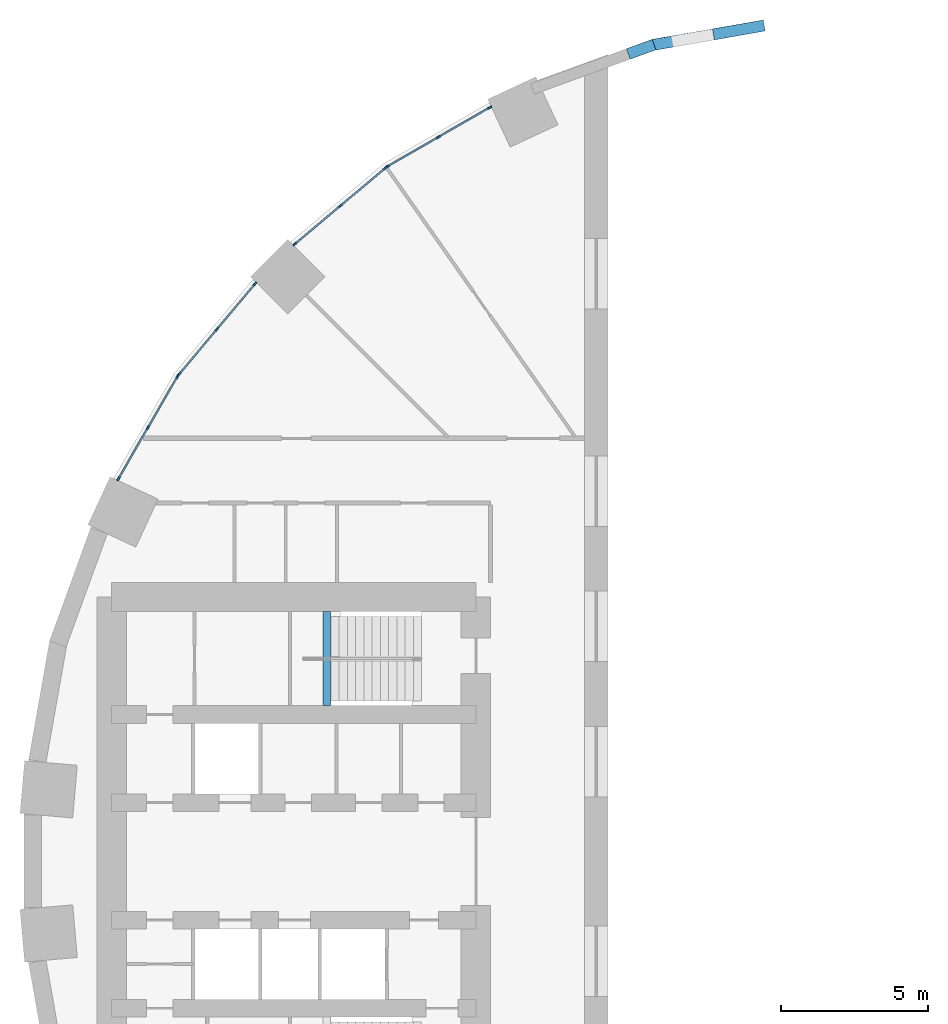
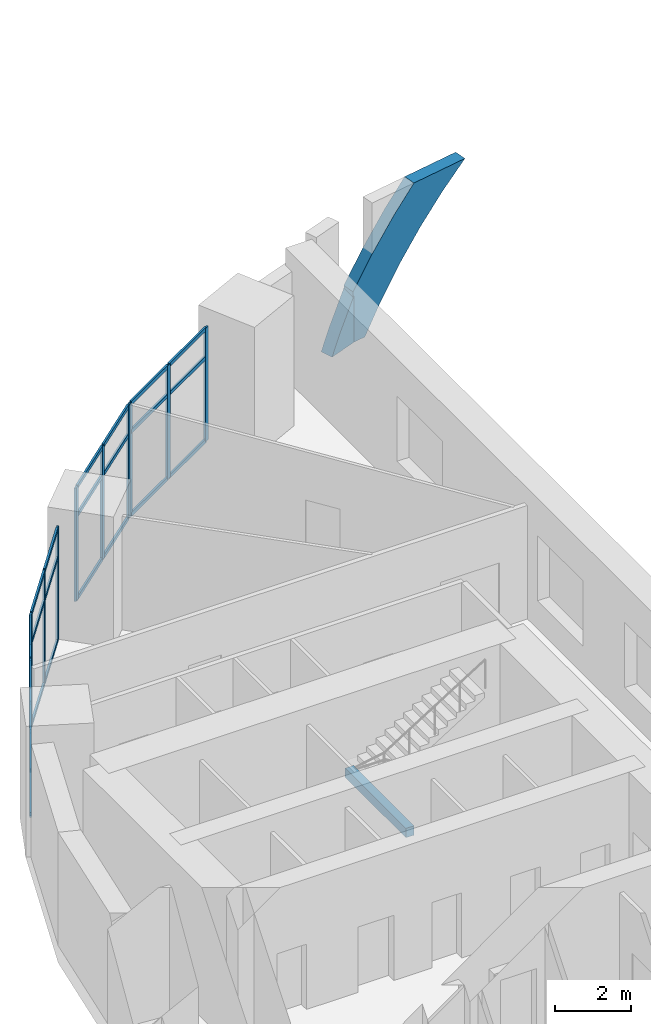
# One storey, part 4 of 13: 38 members, 1 beam, 4 elements without a shape of their own.
"""IFC4 building model written with IfcOpenShell, lengths in metres."""

from ifc_helpers import new_model, si_unit, direction, frame, origin, origin_2d, place, context, subcontext, project, spatial, polyline, rectangle, hollow_rectangle, outline, extrude, material, layer, layer_set, material_profile, profile_set, type_object, element, aggregate, save


model = new_model("IFC4")

# Units and contexts
model_context = context("Model", 3, precision=1e-05, world=origin(), true_north=direction((0.0, 1.0)))
body_context = subcontext(model_context, "Body", "Model", "MODEL_VIEW")
ifc_project = project(units=[si_unit("LENGTHUNIT", "METRE"), si_unit("AREAUNIT", "SQUARE_METRE"), si_unit("VOLUMEUNIT", "CUBIC_METRE"), si_unit("PLANEANGLEUNIT", "RADIAN"), si_unit("MASSUNIT", "GRAM", prefix="KILO")], contexts=[model_context])

# Site, building, storey
site_placement = place(None, origin())
site = spatial("IfcSite", under=ifc_project, at=site_placement, CompositionType="ELEMENT")
building_placement = place(site_placement, origin())
building = spatial("IfcBuilding", under=site, at=building_placement, Name="Saqina Gate Tower", CompositionType="ELEMENT")
storey_placement = place(building_placement, frame((0.0, 0.0, 13.39990234375)))
storey = spatial("IfcBuildingStorey", under=building, at=storey_placement, Name="L03", CompositionType="ELEMENT", Elevation=13.39990234375)

# Curtain wall, members
ifc_material_1 = material(Name="Aluminium glazing", Category="aluminium")
ifc_layer = layer(ifc_material_1, 0.159912109375)
ifc_layer_set = layer_set([ifc_layer], Name="CWT-1")
curtain_wall_type = type_object("IfcCurtainWallType", Name="CWT-1", PredefinedType="NOTDEFINED", material=ifc_layer_set)
curtain_wall_1_placement = place(storey_placement, origin())
curtain_wall_1 = element("IfcCurtainWall", 1, at=curtain_wall_1_placement, inside=storey, type_object=curtain_wall_type, Name="Podium shopfront facet 12", PredefinedType="NOTDEFINED")
ifc_material_2 = material(Name="Aluminium", Category="aluminium")
ifc_material_profile_1 = material_profile(ifc_material_2, rectangle(XDim=0.06005859375, YDim=0.159912109375, at=origin_2d()), Name="Aluminium 60x160")
ifc_profile_set_1 = profile_set([ifc_material_profile_1], Name="Aluminium")
member_type_1 = type_object("IfcMemberType", Name="CWT-1M", PredefinedType="MULLION", material=ifc_profile_set_1)
member_1_placement = place(storey_placement, frame((-13.03466796875, 25.66015625, 0.0), z_axis=(0.0, 0.0, 1.0), x_axis=(0.500013894893, -0.866017381415, 0.0)))
member_1 = element("IfcMember", 2, at=member_1_placement, type_object=member_type_1, Name="CW1-12 mullion 1", PredefinedType="MULLION", context=body_context, shape_type="SweptSolid", body=[
    extrude(rectangle(XDim=0.06005859375, YDim=0.159912109375, at=origin_2d()), origin(), (0.0, 0.0, 1.0), 3.650146484375),
])
member_2_placement = place(storey_placement, frame((-14.770751953125, 24.65771484375, 0.0), z_axis=(0.0, 0.0, 1.0), x_axis=(0.500013894893, -0.866017381415, 0.0)))
member_2 = element("IfcMember", 3, at=member_2_placement, type_object=member_type_1, Name="CW1-12 mullion 2", PredefinedType="MULLION", context=body_context, shape_type="SweptSolid", body=[
    extrude(rectangle(XDim=0.06005859375, YDim=0.159912109375, at=origin_2d()), origin(), (0.0, 0.0, 1.0), 3.650146484375),
])
member_3_placement = place(storey_placement, frame((-16.5068359375, 23.655517578125, 0.0), z_axis=(0.0, 0.0, 1.0), x_axis=(0.500013894893, -0.866017381415, 0.0)))
member_3 = element("IfcMember", 4, at=member_3_placement, type_object=member_type_1, Name="CW1-12 mullion 3", PredefinedType="MULLION", context=body_context, shape_type="SweptSolid", body=[
    extrude(rectangle(XDim=0.06005859375, YDim=0.159912109375, at=origin_2d()), origin(), (0.0, 0.0, 1.0), 3.650146484375),
])

curtain_wall_2_placement = place(storey_placement, origin())
curtain_wall_2 = element("IfcCurtainWall", 5, at=curtain_wall_2_placement, inside=storey, type_object=curtain_wall_type, Name="Podium shopfront facet 13", PredefinedType="NOTDEFINED")
member_4_placement = place(storey_placement, frame((-16.583251953125, 23.601806640625, 0.0), z_axis=(0.0, 0.0, 1.0), x_axis=(0.642779322911, -0.766051396473, 0.0)))
member_4 = element("IfcMember", 6, at=member_4_placement, type_object=member_type_1, Name="CW1-13 mullion 1", PredefinedType="MULLION", context=body_context, shape_type="SweptSolid", body=[
    extrude(rectangle(XDim=0.06005859375, YDim=0.159912109375, at=origin_2d()), origin(), (0.0, 0.0, 1.0), 3.650146484375),
])
member_5_placement = place(storey_placement, frame((-18.118896484375, 22.3134765625, 0.0), z_axis=(0.0, 0.0, 1.0), x_axis=(0.642779322911, -0.766051396473, 0.0)))
member_5 = element("IfcMember", 7, at=member_5_placement, type_object=member_type_1, Name="CW1-13 mullion 2", PredefinedType="MULLION", context=body_context, shape_type="SweptSolid", body=[
    extrude(rectangle(XDim=0.06005859375, YDim=0.159912109375, at=origin_2d()), origin(), (0.0, 0.0, 1.0), 3.650146484375),
])
member_6_placement = place(storey_placement, frame((-19.654296875, 21.02490234375, 0.0), z_axis=(0.0, 0.0, 1.0), x_axis=(0.642779322911, -0.766051396473, 0.0)))
member_6 = element("IfcMember", 8, at=member_6_placement, type_object=member_type_1, Name="CW1-13 mullion 3", PredefinedType="MULLION", context=body_context, shape_type="SweptSolid", body=[
    extrude(rectangle(XDim=0.06005859375, YDim=0.159912109375, at=origin_2d()), origin(), (0.0, 0.0, 1.0), 3.650146484375),
])

curtain_wall_3_placement = place(storey_placement, origin())
curtain_wall_3 = element("IfcCurtainWall", 9, at=curtain_wall_3_placement, inside=storey, type_object=curtain_wall_type, Name="Podium shopfront facet 14", PredefinedType="NOTDEFINED")
member_7_placement = place(storey_placement, frame((-21.02490234375, 19.654296875, 0.0), z_axis=(0.0, 0.0, 1.0), x_axis=(0.766051396473, -0.642779322911, 0.0)))
member_7 = element("IfcMember", 10, at=member_7_placement, type_object=member_type_1, Name="CW1-14 mullion 1", PredefinedType="MULLION", context=body_context, shape_type="SweptSolid", body=[
    extrude(rectangle(XDim=0.06005859375, YDim=0.159912109375, at=origin_2d()), origin(), (0.0, 0.0, 1.0), 3.650146484375),
])
member_8_placement = place(storey_placement, frame((-22.3134765625, 18.118896484375, 0.0), z_axis=(0.0, 0.0, 1.0), x_axis=(0.766051396473, -0.642779322911, 0.0)))
member_8 = element("IfcMember", 11, at=member_8_placement, type_object=member_type_1, Name="CW1-14 mullion 2", PredefinedType="MULLION", context=body_context, shape_type="SweptSolid", body=[
    extrude(rectangle(XDim=0.06005859375, YDim=0.159912109375, at=origin_2d()), origin(), (0.0, 0.0, 1.0), 3.650146484375),
])
member_9_placement = place(storey_placement, frame((-23.601806640625, 16.583251953125, 0.0), z_axis=(0.0, 0.0, 1.0), x_axis=(0.766051396473, -0.642779322911, 0.0)))
member_9 = element("IfcMember", 12, at=member_9_placement, type_object=member_type_1, Name="CW1-14 mullion 3", PredefinedType="MULLION", context=body_context, shape_type="SweptSolid", body=[
    extrude(rectangle(XDim=0.06005859375, YDim=0.159912109375, at=origin_2d()), origin(), (0.0, 0.0, 1.0), 3.650146484375),
])

curtain_wall_4_placement = place(storey_placement, origin())
curtain_wall_4 = element("IfcCurtainWall", 13, at=curtain_wall_4_placement, inside=storey, type_object=curtain_wall_type, Name="Podium shopfront facet 15", PredefinedType="NOTDEFINED")
member_10_placement = place(storey_placement, frame((-23.655517578125, 16.5068359375, 0.0), z_axis=(0.0, 0.0, 1.0), x_axis=(0.866017381415, -0.500013894893, 0.0)))
member_10 = element("IfcMember", 14, at=member_10_placement, type_object=member_type_1, Name="CW1-15 mullion 1", PredefinedType="MULLION", context=body_context, shape_type="SweptSolid", body=[
    extrude(rectangle(XDim=0.06005859375, YDim=0.159912109375, at=origin_2d()), origin(), (0.0, 0.0, 1.0), 3.650146484375),
])
member_11_placement = place(storey_placement, frame((-24.65771484375, 14.770751953125, 0.0), z_axis=(0.0, 0.0, 1.0), x_axis=(0.866017381415, -0.500013894893, 0.0)))
member_11 = element("IfcMember", 15, at=member_11_placement, type_object=member_type_1, Name="CW1-15 mullion 2", PredefinedType="MULLION", context=body_context, shape_type="SweptSolid", body=[
    extrude(rectangle(XDim=0.06005859375, YDim=0.159912109375, at=origin_2d()), origin(), (0.0, 0.0, 1.0), 3.650146484375),
])
member_12_placement = place(storey_placement, frame((-25.66015625, 13.03466796875, 0.0), z_axis=(0.0, 0.0, 1.0), x_axis=(0.866017381415, -0.500013894893, 0.0)))
member_12 = element("IfcMember", 16, at=member_12_placement, type_object=member_type_1, Name="CW1-15 mullion 3", PredefinedType="MULLION", context=body_context, shape_type="SweptSolid", body=[
    extrude(rectangle(XDim=0.06005859375, YDim=0.159912109375, at=origin_2d()), origin(), (0.0, 0.0, 1.0), 3.650146484375),
])

# Member
ifc_material_3 = material(Name="Aluminium", Category="aluminium")
ifc_material_profile_2 = material_profile(ifc_material_3, rectangle(XDim=0.06005859375, YDim=0.1201171875, at=origin_2d()), Name="Aluminium 60x120")
ifc_profile_set_2 = profile_set([ifc_material_profile_2], Name="Aluminium")
member_type_2 = type_object("IfcMemberType", Name="CWT-1T", PredefinedType="USERDEFINED", material=ifc_profile_set_2)
member_13_placement = place(storey_placement, frame((-13.060791015625, 25.64501953125, 0.030029296875), z_axis=(-0.866055964107, -0.499947064232, 0.0), x_axis=(0.499947064232, -0.866055964107, 0.0)))
member_13 = element("IfcMember", 17, at=member_13_placement, type_object=member_type_2, Name="CW1-12 transom 1.1", ObjectType="TRANSOM", PredefinedType="USERDEFINED", context=body_context, shape_type="SweptSolid", body=[
    extrude(rectangle(XDim=0.06005859375, YDim=0.1201171875, at=origin_2d()), origin(), (0.0, 0.0, 1.0), 1.944580078125),
])

member_14_placement = place(storey_placement, frame((-13.060791015625, 25.64501953125, 2.7001953125), z_axis=(-0.866055964107, -0.499947064232, 0.0), x_axis=(0.499947064232, -0.866055964107, 0.0)))
member_14 = element("IfcMember", 18, at=member_14_placement, type_object=member_type_2, Name="CW1-12 transom 1.2", ObjectType="TRANSOM", PredefinedType="USERDEFINED", context=body_context, shape_type="SweptSolid", body=[
    extrude(rectangle(XDim=0.06005859375, YDim=0.1201171875, at=origin_2d()), origin(), (0.0, 0.0, 1.0), 1.944580078125),
])

member_15_placement = place(storey_placement, frame((-13.060791015625, 25.64501953125, 3.6201171875), z_axis=(-0.866055964107, -0.499947064232, 0.0), x_axis=(0.499947064232, -0.866055964107, 0.0)))
member_15 = element("IfcMember", 19, at=member_15_placement, type_object=member_type_2, Name="CW1-12 transom 1.3", ObjectType="TRANSOM", PredefinedType="USERDEFINED", context=body_context, shape_type="SweptSolid", body=[
    extrude(rectangle(XDim=0.06005859375, YDim=0.1201171875, at=origin_2d()), origin(), (0.0, 0.0, 1.0), 1.944580078125),
])

member_16_placement = place(storey_placement, frame((-14.796630859375, 24.642822265625, 0.030029296875), z_axis=(-0.866001600736, -0.500041225824, 0.0), x_axis=(0.500041225824, -0.866001600736, 0.0)))
member_16 = element("IfcMember", 20, at=member_16_placement, type_object=member_type_2, Name="CW1-12 transom 2.1", ObjectType="TRANSOM", PredefinedType="USERDEFINED", context=body_context, shape_type="SweptSolid", body=[
    extrude(rectangle(XDim=0.06005859375, YDim=0.1201171875, at=origin_2d()), origin(), (0.0, 0.0, 1.0), 1.944580078125),
])

member_17_placement = place(storey_placement, frame((-14.796630859375, 24.642822265625, 2.7001953125), z_axis=(-0.866001600736, -0.500041225824, 0.0), x_axis=(0.500041225824, -0.866001600736, 0.0)))
member_17 = element("IfcMember", 21, at=member_17_placement, type_object=member_type_2, Name="CW1-12 transom 2.2", ObjectType="TRANSOM", PredefinedType="USERDEFINED", context=body_context, shape_type="SweptSolid", body=[
    extrude(rectangle(XDim=0.06005859375, YDim=0.1201171875, at=origin_2d()), origin(), (0.0, 0.0, 1.0), 1.944580078125),
])

member_18_placement = place(storey_placement, frame((-14.796630859375, 24.642822265625, 3.6201171875), z_axis=(-0.866001600736, -0.500041225824, 0.0), x_axis=(0.500041225824, -0.866001600736, 0.0)))
member_18 = element("IfcMember", 22, at=member_18_placement, type_object=member_type_2, Name="CW1-12 transom 2.3", ObjectType="TRANSOM", PredefinedType="USERDEFINED", context=body_context, shape_type="SweptSolid", body=[
    extrude(rectangle(XDim=0.06005859375, YDim=0.1201171875, at=origin_2d()), origin(), (0.0, 0.0, 1.0), 1.944580078125),
])

aggregate(curtain_wall_1, [member_1, member_2, member_3, member_13, member_14, member_15, member_16, member_17, member_18])

member_19_placement = place(storey_placement, frame((-16.606201171875, 23.58251953125, 0.030029296875), z_axis=(-0.766117756196, -0.642700228444, 0.0), x_axis=(0.642700228444, -0.766117756196, 0.0)))
member_19 = element("IfcMember", 23, at=member_19_placement, type_object=member_type_2, Name="CW1-13 transom 1.1", ObjectType="TRANSOM", PredefinedType="USERDEFINED", context=body_context, shape_type="SweptSolid", body=[
    extrude(rectangle(XDim=0.06005859375, YDim=0.1201171875, at=origin_2d()), origin(), (0.0, 0.0, 1.0), 1.944580078125),
])

member_20_placement = place(storey_placement, frame((-16.606201171875, 23.58251953125, 2.7001953125), z_axis=(-0.766117756196, -0.642700228444, 0.0), x_axis=(0.642700228444, -0.766117756196, 0.0)))
member_20 = element("IfcMember", 24, at=member_20_placement, type_object=member_type_2, Name="CW1-13 transom 1.2", ObjectType="TRANSOM", PredefinedType="USERDEFINED", context=body_context, shape_type="SweptSolid", body=[
    extrude(rectangle(XDim=0.06005859375, YDim=0.1201171875, at=origin_2d()), origin(), (0.0, 0.0, 1.0), 1.944580078125),
])

member_21_placement = place(storey_placement, frame((-16.606201171875, 23.58251953125, 3.6201171875), z_axis=(-0.766117756196, -0.642700228444, 0.0), x_axis=(0.642700228444, -0.766117756196, 0.0)))
member_21 = element("IfcMember", 25, at=member_21_placement, type_object=member_type_2, Name="CW1-13 transom 1.3", ObjectType="TRANSOM", PredefinedType="USERDEFINED", context=body_context, shape_type="SweptSolid", body=[
    extrude(rectangle(XDim=0.06005859375, YDim=0.1201171875, at=origin_2d()), origin(), (0.0, 0.0, 1.0), 1.944580078125),
])

member_22_placement = place(storey_placement, frame((-18.141845703125, 22.294189453125, 0.030029296875), z_axis=(-0.76600406177, -0.642835731235, 0.0), x_axis=(0.642835731235, -0.76600406177, 0.0)))
member_22 = element("IfcMember", 26, at=member_22_placement, type_object=member_type_2, Name="CW1-13 transom 2.1", ObjectType="TRANSOM", PredefinedType="USERDEFINED", context=body_context, shape_type="SweptSolid", body=[
    extrude(rectangle(XDim=0.06005859375, YDim=0.1201171875, at=origin_2d()), origin(), (0.0, 0.0, 1.0), 1.944580078125),
])

member_23_placement = place(storey_placement, frame((-18.141845703125, 22.294189453125, 2.7001953125), z_axis=(-0.76600406177, -0.642835731235, 0.0), x_axis=(0.642835731235, -0.76600406177, 0.0)))
member_23 = element("IfcMember", 27, at=member_23_placement, type_object=member_type_2, Name="CW1-13 transom 2.2", ObjectType="TRANSOM", PredefinedType="USERDEFINED", context=body_context, shape_type="SweptSolid", body=[
    extrude(rectangle(XDim=0.06005859375, YDim=0.1201171875, at=origin_2d()), origin(), (0.0, 0.0, 1.0), 1.944580078125),
])

member_24_placement = place(storey_placement, frame((-18.141845703125, 22.294189453125, 3.6201171875), z_axis=(-0.76600406177, -0.642835731235, 0.0), x_axis=(0.642835731235, -0.76600406177, 0.0)))
member_24 = element("IfcMember", 28, at=member_24_placement, type_object=member_type_2, Name="CW1-13 transom 2.3", ObjectType="TRANSOM", PredefinedType="USERDEFINED", context=body_context, shape_type="SweptSolid", body=[
    extrude(rectangle(XDim=0.06005859375, YDim=0.1201171875, at=origin_2d()), origin(), (0.0, 0.0, 1.0), 1.944580078125),
])

aggregate(curtain_wall_2, [member_4, member_5, member_6, member_19, member_20, member_21, member_22, member_23, member_24])

member_25_placement = place(storey_placement, frame((-21.044189453125, 19.63134765625, 0.030029296875), z_axis=(-0.642835731235, -0.76600406177, 0.0), x_axis=(0.76600406177, -0.642835731235, 0.0)))
member_25 = element("IfcMember", 29, at=member_25_placement, type_object=member_type_2, Name="CW1-14 transom 1.1", ObjectType="TRANSOM", PredefinedType="USERDEFINED", context=body_context, shape_type="SweptSolid", body=[
    extrude(rectangle(XDim=0.06005859375, YDim=0.1201171875, at=origin_2d()), origin(), (0.0, 0.0, 1.0), 1.944580078125),
])

member_26_placement = place(storey_placement, frame((-21.044189453125, 19.63134765625, 2.7001953125), z_axis=(-0.642835731235, -0.76600406177, 0.0), x_axis=(0.76600406177, -0.642835731235, 0.0)))
member_26 = element("IfcMember", 30, at=member_26_placement, type_object=member_type_2, Name="CW1-14 transom 1.2", ObjectType="TRANSOM", PredefinedType="USERDEFINED", context=body_context, shape_type="SweptSolid", body=[
    extrude(rectangle(XDim=0.06005859375, YDim=0.1201171875, at=origin_2d()), origin(), (0.0, 0.0, 1.0), 1.944580078125),
])

member_27_placement = place(storey_placement, frame((-21.044189453125, 19.63134765625, 3.6201171875), z_axis=(-0.642835731235, -0.76600406177, 0.0), x_axis=(0.76600406177, -0.642835731235, 0.0)))
member_27 = element("IfcMember", 31, at=member_27_placement, type_object=member_type_2, Name="CW1-14 transom 1.3", ObjectType="TRANSOM", PredefinedType="USERDEFINED", context=body_context, shape_type="SweptSolid", body=[
    extrude(rectangle(XDim=0.06005859375, YDim=0.1201171875, at=origin_2d()), origin(), (0.0, 0.0, 1.0), 1.944580078125),
])

member_28_placement = place(storey_placement, frame((-22.332763671875, 18.095947265625, 0.030029296875), z_axis=(-0.642700228444, -0.766117756196, 0.0), x_axis=(0.766117756196, -0.642700228444, 0.0)))
member_28 = element("IfcMember", 32, at=member_28_placement, type_object=member_type_2, Name="CW1-14 transom 2.1", ObjectType="TRANSOM", PredefinedType="USERDEFINED", context=body_context, shape_type="SweptSolid", body=[
    extrude(rectangle(XDim=0.06005859375, YDim=0.1201171875, at=origin_2d()), origin(), (0.0, 0.0, 1.0), 1.944580078125),
])

member_29_placement = place(storey_placement, frame((-22.332763671875, 18.095947265625, 2.7001953125), z_axis=(-0.642700228444, -0.766117756196, 0.0), x_axis=(0.766117756196, -0.642700228444, 0.0)))
member_29 = element("IfcMember", 33, at=member_29_placement, type_object=member_type_2, Name="CW1-14 transom 2.2", ObjectType="TRANSOM", PredefinedType="USERDEFINED", context=body_context, shape_type="SweptSolid", body=[
    extrude(rectangle(XDim=0.06005859375, YDim=0.1201171875, at=origin_2d()), origin(), (0.0, 0.0, 1.0), 1.944580078125),
])

member_30_placement = place(storey_placement, frame((-22.332763671875, 18.095947265625, 3.6201171875), z_axis=(-0.642700228444, -0.766117756196, 0.0), x_axis=(0.766117756196, -0.642700228444, 0.0)))
member_30 = element("IfcMember", 34, at=member_30_placement, type_object=member_type_2, Name="CW1-14 transom 2.3", ObjectType="TRANSOM", PredefinedType="USERDEFINED", context=body_context, shape_type="SweptSolid", body=[
    extrude(rectangle(XDim=0.06005859375, YDim=0.1201171875, at=origin_2d()), origin(), (0.0, 0.0, 1.0), 1.944580078125),
])

aggregate(curtain_wall_3, [member_7, member_8, member_9, member_25, member_26, member_27, member_28, member_29, member_30])

member_31_placement = place(storey_placement, frame((-23.67041015625, 16.480712890625, 0.030029296875), z_axis=(-0.500041225824, -0.866001600736, 0.0), x_axis=(0.866001600736, -0.500041225824, 0.0)))
member_31 = element("IfcMember", 35, at=member_31_placement, type_object=member_type_2, Name="CW1-15 transom 1.1", ObjectType="TRANSOM", PredefinedType="USERDEFINED", context=body_context, shape_type="SweptSolid", body=[
    extrude(rectangle(XDim=0.06005859375, YDim=0.1201171875, at=origin_2d()), origin(), (0.0, 0.0, 1.0), 1.944580078125),
])

member_32_placement = place(storey_placement, frame((-23.67041015625, 16.480712890625, 2.7001953125), z_axis=(-0.500041225824, -0.866001600736, 0.0), x_axis=(0.866001600736, -0.500041225824, 0.0)))
member_32 = element("IfcMember", 36, at=member_32_placement, type_object=member_type_2, Name="CW1-15 transom 1.2", ObjectType="TRANSOM", PredefinedType="USERDEFINED", context=body_context, shape_type="SweptSolid", body=[
    extrude(rectangle(XDim=0.06005859375, YDim=0.1201171875, at=origin_2d()), origin(), (0.0, 0.0, 1.0), 1.944580078125),
])

member_33_placement = place(storey_placement, frame((-23.67041015625, 16.480712890625, 3.6201171875), z_axis=(-0.500041225824, -0.866001600736, 0.0), x_axis=(0.866001600736, -0.500041225824, 0.0)))
member_33 = element("IfcMember", 37, at=member_33_placement, type_object=member_type_2, Name="CW1-15 transom 1.3", ObjectType="TRANSOM", PredefinedType="USERDEFINED", context=body_context, shape_type="SweptSolid", body=[
    extrude(rectangle(XDim=0.06005859375, YDim=0.1201171875, at=origin_2d()), origin(), (0.0, 0.0, 1.0), 1.944580078125),
])

member_34_placement = place(storey_placement, frame((-24.6728515625, 14.744873046875, 0.030029296875), z_axis=(-0.499947064232, -0.866055964107, 0.0), x_axis=(0.866055964107, -0.499947064232, 0.0)))
member_34 = element("IfcMember", 38, at=member_34_placement, type_object=member_type_2, Name="CW1-15 transom 2.1", ObjectType="TRANSOM", PredefinedType="USERDEFINED", context=body_context, shape_type="SweptSolid", body=[
    extrude(rectangle(XDim=0.06005859375, YDim=0.1201171875, at=origin_2d()), origin(), (0.0, 0.0, 1.0), 1.944580078125),
])

member_35_placement = place(storey_placement, frame((-24.6728515625, 14.744873046875, 2.7001953125), z_axis=(-0.499947064232, -0.866055964107, 0.0), x_axis=(0.866055964107, -0.499947064232, 0.0)))
member_35 = element("IfcMember", 39, at=member_35_placement, type_object=member_type_2, Name="CW1-15 transom 2.2", ObjectType="TRANSOM", PredefinedType="USERDEFINED", context=body_context, shape_type="SweptSolid", body=[
    extrude(rectangle(XDim=0.06005859375, YDim=0.1201171875, at=origin_2d()), origin(), (0.0, 0.0, 1.0), 1.944580078125),
])

member_36_placement = place(storey_placement, frame((-24.6728515625, 14.744873046875, 3.6201171875), z_axis=(-0.499947064232, -0.866055964107, 0.0), x_axis=(0.866055964107, -0.499947064232, 0.0)))
member_36 = element("IfcMember", 40, at=member_36_placement, type_object=member_type_2, Name="CW1-15 transom 2.3", ObjectType="TRANSOM", PredefinedType="USERDEFINED", context=body_context, shape_type="SweptSolid", body=[
    extrude(rectangle(XDim=0.06005859375, YDim=0.1201171875, at=origin_2d()), origin(), (0.0, 0.0, 1.0), 1.944580078125),
])

aggregate(curtain_wall_4, [member_10, member_11, member_12, member_31, member_32, member_33, member_34, member_35, member_36])

# Beam
ifc_material_4 = material(Name="Concrete C40/50", Category="concrete")
ifc_material_profile_3 = material_profile(ifc_material_4, rectangle(XDim=0.25, YDim=0.300048828125, at=origin_2d()), Name="STAIR LANDING BEAM")
ifc_profile_set_3 = profile_set([ifc_material_profile_3], Name="Concrete C40/50")
beam_type = type_object("IfcBeamType", Name="STAIR LANDING BEAM", PredefinedType="BEAM", material=ifc_profile_set_3)
beam_placement = place(storey_placement, frame((-18.580078125, 5.300048828125, 1.7001953125), z_axis=(0.0, 1.0, 0.0), x_axis=(-1.0, 0.0, 0.0)))
element("IfcBeam", 41, at=beam_placement, inside=storey, type_object=beam_type, Name="EXIT STAIR 3 LANDING BEAM", PredefinedType="BEAM", context=body_context, shape_type="SweptSolid", body=[
    extrude(rectangle(XDim=0.25, YDim=0.300048828125, at=origin_2d()), origin(), (0.0, 0.0, 1.0), 3.199951171875),
])

# Members
ifc_material_5 = material(Name="Steel S355", Category="steel")
ifc_material_profile_4 = material_profile(ifc_material_5, hollow_rectangle(XDim=1.199951171875, YDim=0.3798828125, WallThickness=0.030029296875, at=origin_2d()), Name="BOX 1200x380x30")
ifc_profile_set_4 = profile_set([ifc_material_profile_4], Name="Steel S355")
member_type_3 = type_object("IfcMemberType", Name="STR-ARCH RIB-BOX 1200x380x30", PredefinedType="USERDEFINED", material=ifc_profile_set_4)
member_37_placement = place(storey_placement, frame((-7.098388671875, 28.056396484375, 0.0), z_axis=(-0.173663688926, 0.984802981162, 0.002002858604), x_axis=(0.508731216594, 0.087969730804, 0.856419217279)))
element("IfcMember", 42, at=member_37_placement, inside=storey, type_object=member_type_3, Name="ARCH RIB N L03 facet 10", ObjectType="ARCH RIB", PredefinedType="USERDEFINED", context=body_context, shape_type="SweptSolid", body=[
    extrude(outline(polyline([(0.0, 0.0), (1.0764295260787176, -1.1102230246251565e-16), (2.1777219385506665, 0.0790739507937952), (3.2719232234619637, 0.23718017459863527), (4.353175203559057, 0.47311081050048887), (5.370180963465612, 0.7727068160394057), (4.463757948403258, -0.7309005562483302), (3.4858547857319517, -0.9443517882550404), (2.3066628331472216, -1.1148172508934875), (1.1902095904072896, -1.1949241801096417), (-0.21105883003614517, -0.35011220819973615), (0.0, 0.0)])), origin(), (0.0, 0.0, -1.0), 0.3798828125),
])
member_38_placement = place(storey_placement, frame((-7.49658203125, 27.986572265625, 0.0), z_axis=(-0.342017327314, 0.939691469449, 0.002022390052), x_axis=(0.000641170952, -0.001918815267, 0.999997953522)))
element("IfcMember", 43, at=member_38_placement, inside=storey, type_object=member_type_3, Name="ARCH RIB N L03 facet 11", ObjectType="ARCH RIB", PredefinedType="USERDEFINED", context=body_context, shape_type="SweptSolid", body=[
    extrude(outline(polyline([(0.0, 0.0), (1.5686065531847062, -1.4907779871675686e-19), (0.5801128722491548, -0.6241967596071537), (5.000134169734873e-05, -0.9332022012938985), (0.0, 0.0)])), origin(), (0.0, 0.0, -1.0), 0.3798828125),
])

save(model, "model.ifc")
